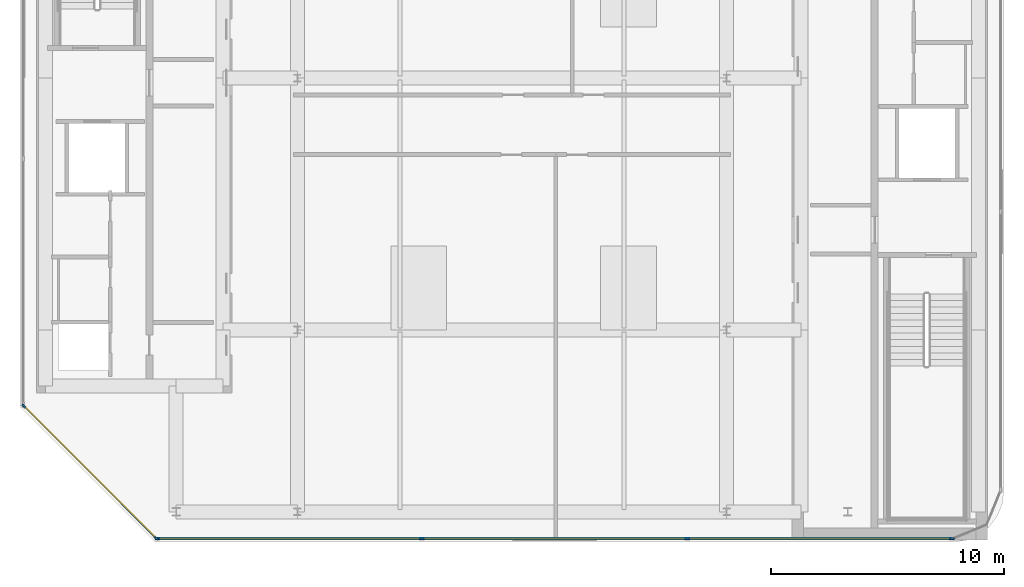
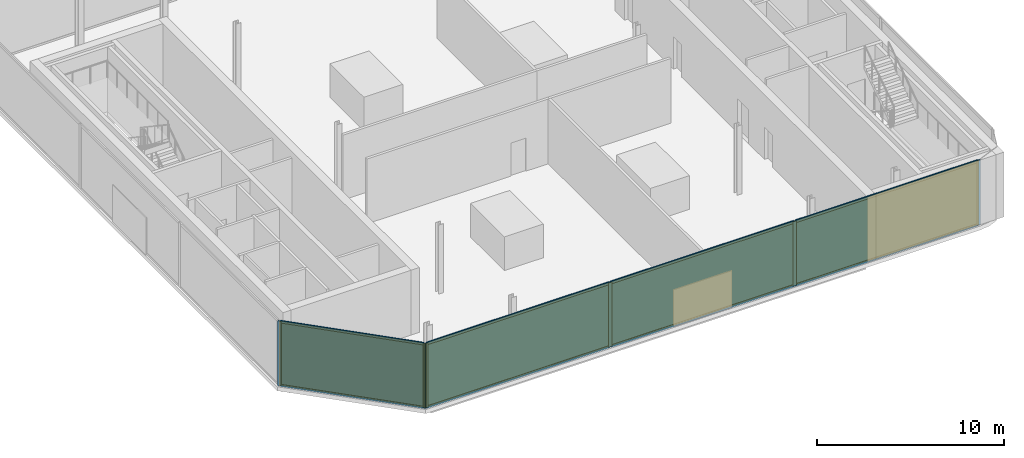
# One storey, part 7 of 15: 14 members, 4 plates, 2 curtain walls.
"""IFC4 building model written with IfcOpenShell, lengths in metres."""

from ifc_helpers import new_model, si_unit, direction, frame, frame_2d, origin, origin_2d, place, context, subcontext, project, spatial, rectangle, extrude, material, layer, layer_set, material_profile, profile_set, type_object, element, aggregate, save


model = new_model("IFC4")

# Units and contexts
model_context = context("Model", 3, precision=1e-05, world=origin(), true_north=direction((0.0, 1.0)))
body_context = subcontext(model_context, "Body", "Model", "MODEL_VIEW")
ifc_project = project(units=[si_unit("LENGTHUNIT", "METRE"), si_unit("AREAUNIT", "SQUARE_METRE"), si_unit("VOLUMEUNIT", "CUBIC_METRE"), si_unit("PLANEANGLEUNIT", "RADIAN"), si_unit("MASSUNIT", "GRAM", prefix="KILO")], contexts=[model_context])

# Member
ifc_material_1 = material(Name="Anodised Bronze Aluminium 6063-T6", Category="aluminium")
ifc_material_profile_1 = material_profile(ifc_material_1, rectangle(XDim=0.074951171875, YDim=0.2099609375, at=origin_2d()))
ifc_profile_set_1 = profile_set([ifc_material_profile_1], Name="Anodised Bronze Aluminium 6063-T6")
member_type_1 = type_object("IfcMemberType", Name="CW-CRN Mullion 75x210", PredefinedType="MULLION", material=ifc_profile_set_1)
site_placement = place(None, origin())
building_placement = place(site_placement, origin())
storey_placement = place(building_placement, frame((0.0, 0.0, 335.0)))
member_1_placement = place(storey_placement, frame((18.853271484375, -19.760009765625, 0.0), z_axis=(0.0, 0.0, 1.0), x_axis=(0.0, -1.0, 0.0)))
member_1 = element("IfcMember", 1, at=member_1_placement, type_object=member_type_1, Name="CW-CRN mullion 1", PredefinedType="MULLION", context=body_context, shape_type="SweptSolid", body=[
    extrude(rectangle(XDim=0.074951171875, YDim=0.2099609375, at=origin_2d()), origin(), (0.0, 0.0, 1.0), 4.219970703125),
])

member_2_placement = place(storey_placement, frame((7.51318359375, -19.760009765625, 0.0), z_axis=(0.0, 0.0, 1.0), x_axis=(0.0, -1.0, 0.0)))
member_2 = element("IfcMember", 2, at=member_2_placement, type_object=member_type_1, Name="CW-CRN mullion 2", PredefinedType="MULLION", context=body_context, shape_type="SweptSolid", body=[
    extrude(rectangle(XDim=0.074951171875, YDim=0.2099609375, at=origin_2d()), origin(), (0.0, 0.0, 1.0), 4.219970703125),
])

member_3_placement = place(storey_placement, frame((-3.864501953125, -19.760009765625, 0.0), z_axis=(0.0, 0.0, 1.0), x_axis=(0.0, -1.0, 0.0)))
member_3 = element("IfcMember", 3, at=member_3_placement, type_object=member_type_1, Name="CW-CRN mullion 3", PredefinedType="MULLION", context=body_context, shape_type="SweptSolid", body=[
    extrude(rectangle(XDim=0.074951171875, YDim=0.2099609375, at=origin_2d()), origin(), (0.0, 0.0, 1.0), 4.219970703125),
])

member_4_placement = place(storey_placement, frame((-15.20458984375, -19.760009765625, 0.0), z_axis=(0.0, 0.0, 1.0), x_axis=(0.0, -1.0, 0.0)))
member_4 = element("IfcMember", 4, at=member_4_placement, type_object=member_type_1, Name="CW-CRN mullion 4", PredefinedType="MULLION", context=body_context, shape_type="SweptSolid", body=[
    extrude(rectangle(XDim=0.074951171875, YDim=0.2099609375, at=origin_2d()), origin(), (0.0, 0.0, 1.0), 4.219970703125),
])

ifc_material_2 = material(Name="Anodised Bronze Aluminium 6063-T6", Category="aluminium")
ifc_material_profile_2 = material_profile(ifc_material_2, rectangle(XDim=0.074951171875, YDim=0.1650390625, at=origin_2d()))
ifc_profile_set_2 = profile_set([ifc_material_profile_2], Name="Anodised Bronze Aluminium 6063-T6")
member_type_2 = type_object("IfcMemberType", Name="CW-CRN Transom 75x165", PredefinedType="USERDEFINED", material=ifc_profile_set_2)
member_5_placement = place(storey_placement, frame((18.81591796875, -19.760009765625, 0.03759765625), z_axis=(-1.0, 0.0, 0.0), x_axis=(0.0, -1.0, 0.0)))
member_5 = element("IfcMember", 5, at=member_5_placement, type_object=member_type_2, Name="CW-CRN transom 1.1", ObjectType="TRANSOM", PredefinedType="USERDEFINED", context=body_context, shape_type="SweptSolid", body=[
    extrude(rectangle(XDim=0.074951171875, YDim=0.1650390625, at=origin_2d()), origin(), (0.0, 0.0, 1.0), 11.26513671875),
])

member_6_placement = place(storey_placement, frame((18.81591796875, -19.760009765625, 4.1826171875), z_axis=(-1.0, 0.0, 0.0), x_axis=(0.0, -1.0, 0.0)))
member_6 = element("IfcMember", 6, at=member_6_placement, type_object=member_type_2, Name="CW-CRN transom 1.2", ObjectType="TRANSOM", PredefinedType="USERDEFINED", context=body_context, shape_type="SweptSolid", body=[
    extrude(rectangle(XDim=0.074951171875, YDim=0.1650390625, at=origin_2d()), origin(), (0.0, 0.0, 1.0), 11.26513671875),
])

member_7_placement = place(storey_placement, frame((7.4755859375, -19.760009765625, 0.03759765625), z_axis=(-1.0, 0.0, 0.0), x_axis=(0.0, -1.0, 0.0)))
member_7 = element("IfcMember", 7, at=member_7_placement, type_object=member_type_2, Name="CW-CRN transom 2.1", ObjectType="TRANSOM", PredefinedType="USERDEFINED", context=body_context, shape_type="SweptSolid", body=[
    extrude(rectangle(XDim=0.074951171875, YDim=0.1650390625, at=origin_2d()), origin(), (0.0, 0.0, 1.0), 11.302490234375),
])

member_8_placement = place(storey_placement, frame((7.4755859375, -19.760009765625, 4.1826171875), z_axis=(-1.0, 0.0, 0.0), x_axis=(0.0, -1.0, 0.0)))
member_8 = element("IfcMember", 8, at=member_8_placement, type_object=member_type_2, Name="CW-CRN transom 2.2", ObjectType="TRANSOM", PredefinedType="USERDEFINED", context=body_context, shape_type="SweptSolid", body=[
    extrude(rectangle(XDim=0.074951171875, YDim=0.1650390625, at=origin_2d()), origin(), (0.0, 0.0, 1.0), 11.302490234375),
])

member_9_placement = place(storey_placement, frame((-3.90185546875, -19.760009765625, 0.03759765625), z_axis=(-1.0, 0.0, 0.0), x_axis=(0.0, -1.0, 0.0)))
member_9 = element("IfcMember", 9, at=member_9_placement, type_object=member_type_2, Name="CW-CRN transom 3.1", ObjectType="TRANSOM", PredefinedType="USERDEFINED", context=body_context, shape_type="SweptSolid", body=[
    extrude(rectangle(XDim=0.074951171875, YDim=0.1650390625, at=origin_2d()), origin(), (0.0, 0.0, 1.0), 11.26513671875),
])

member_10_placement = place(storey_placement, frame((-3.90185546875, -19.760009765625, 4.1826171875), z_axis=(-1.0, 0.0, 0.0), x_axis=(0.0, -1.0, 0.0)))
member_10 = element("IfcMember", 10, at=member_10_placement, type_object=member_type_2, Name="CW-CRN transom 3.2", ObjectType="TRANSOM", PredefinedType="USERDEFINED", context=body_context, shape_type="SweptSolid", body=[
    extrude(rectangle(XDim=0.074951171875, YDim=0.1650390625, at=origin_2d()), origin(), (0.0, 0.0, 1.0), 11.26513671875),
])

ifc_material_3 = material(Name="Anodised Bronze Aluminium 6063-T6", Category="aluminium")
ifc_material_profile_3 = material_profile(ifc_material_3, rectangle(XDim=0.070068359375, YDim=0.18994140625, at=origin_2d()))
ifc_profile_set_3 = profile_set([ifc_material_profile_3], Name="Anodised Bronze Aluminium 6063-T6")
member_type_3 = type_object("IfcMemberType", Name="CW-SLC Mullion 70x190", PredefinedType="MULLION", material=ifc_profile_set_3)
member_11_placement = place(storey_placement, frame((-15.266845703125, -19.7353515625, 0.0), z_axis=(0.0, 0.0, 1.0), x_axis=(-0.707106781187, -0.707106781187, 0.0)))
member_11 = element("IfcMember", 11, at=member_11_placement, type_object=member_type_3, Name="CW-SLC mullion 1", PredefinedType="MULLION", context=body_context, shape_type="SweptSolid", body=[
    extrude(rectangle(XDim=0.070068359375, YDim=0.18994140625, at=origin_2d()), origin(), (0.0, 0.0, 1.0), 4.219970703125),
])

member_12_placement = place(storey_placement, frame((-20.935302734375, -14.066650390625, 0.0), z_axis=(0.0, 0.0, 1.0), x_axis=(-0.707106781187, -0.707106781187, 0.0)))
member_12 = element("IfcMember", 12, at=member_12_placement, type_object=member_type_3, Name="CW-SLC mullion 2", PredefinedType="MULLION", context=body_context, shape_type="SweptSolid", body=[
    extrude(rectangle(XDim=0.070068359375, YDim=0.18994140625, at=origin_2d()), origin(), (0.0, 0.0, 1.0), 4.219970703125),
])

ifc_material_4 = material(Name="Anodised Bronze Aluminium 6063-T6", Category="aluminium")
ifc_material_profile_4 = material_profile(ifc_material_4, rectangle(XDim=0.070068359375, YDim=0.14990234375, at=origin_2d()))
ifc_profile_set_4 = profile_set([ifc_material_profile_4], Name="Anodised Bronze Aluminium 6063-T6")
member_type_4 = type_object("IfcMemberType", Name="CW-SLC Transom 70x150", PredefinedType="USERDEFINED", material=ifc_profile_set_4)
member_13_placement = place(storey_placement, frame((-15.29150390625, -19.71044921875, 0.034912109375), z_axis=(-0.707106781187, 0.707106781187, 0.0), x_axis=(-0.707106781187, -0.707106781187, 0.0)))
member_13 = element("IfcMember", 13, at=member_13_placement, type_object=member_type_4, Name="CW-SLC transom 1.1", ObjectType="TRANSOM", PredefinedType="USERDEFINED", context=body_context, shape_type="SweptSolid", body=[
    extrude(rectangle(XDim=0.070068359375, YDim=0.14990234375, at=origin_2d()), origin(), (0.0, 0.0, 1.0), 7.9462890625),
])

member_14_placement = place(storey_placement, frame((-15.29150390625, -19.71044921875, 4.18505859375), z_axis=(-0.707106781187, 0.707106781187, 0.0), x_axis=(-0.707106781187, -0.707106781187, 0.0)))
member_14 = element("IfcMember", 14, at=member_14_placement, type_object=member_type_4, Name="CW-SLC transom 1.2", ObjectType="TRANSOM", PredefinedType="USERDEFINED", context=body_context, shape_type="SweptSolid", body=[
    extrude(rectangle(XDim=0.070068359375, YDim=0.14990234375, at=origin_2d()), origin(), (0.0, 0.0, 1.0), 7.9462890625),
])

# Plate
ifc_material_5 = material(Name="Low-E Solar Control Laminated Glass", Category="glass")
ifc_layer_1 = layer(ifc_material_5, 0.035888671875, Name="Low-E Solar Control Laminated Glass")
ifc_layer_set_1 = layer_set([ifc_layer_1], Name="Low-E Solar Control Laminated Glass")
plate_type_1 = type_object("IfcPlateType", Name="CW-CRN Low-E Double Glazed Panel 36mm", PredefinedType="CURTAIN_PANEL", material=ifc_layer_set_1)
plate_1_placement = place(storey_placement, frame((13.183349609375, -19.760009765625, 0.0751953125), z_axis=(0.0, 0.0, 1.0), x_axis=(-1.0, 0.0, 0.0)))
plate_1 = element("IfcPlate", 15, at=plate_1_placement, type_object=plate_type_1, Name="CW-CRN panel 1.1", PredefinedType="CURTAIN_PANEL", context=body_context, shape_type="SweptSolid", body=[
    extrude(rectangle(XDim=11.26513671875, YDim=0.035888671875, at=origin_2d()), origin(), (0.0, 0.0, 1.0), 4.070068359375),
])

plate_2_placement = place(storey_placement, frame((1.824462890625, -19.760009765625, 0.0751953125), z_axis=(0.0, 0.0, 1.0), x_axis=(-1.0, 0.0, 0.0)))
plate_2 = element("IfcPlate", 16, at=plate_2_placement, type_object=plate_type_1, Name="CW-CRN panel 2.1", PredefinedType="CURTAIN_PANEL", context=body_context, shape_type="SweptSolid", body=[
    extrude(rectangle(XDim=11.302490234375, YDim=0.035888671875, at=origin_2d()), origin(), (0.0, 0.0, 1.0), 4.070068359375),
])

plate_3_placement = place(storey_placement, frame((-9.534423828125, -19.760009765625, 0.0751953125), z_axis=(0.0, 0.0, 1.0), x_axis=(-1.0, 0.0, 0.0)))
plate_3 = element("IfcPlate", 17, at=plate_3_placement, type_object=plate_type_1, Name="CW-CRN panel 3.1", PredefinedType="CURTAIN_PANEL", context=body_context, shape_type="SweptSolid", body=[
    extrude(rectangle(XDim=11.26513671875, YDim=0.035888671875, at=origin_2d()), origin(), (0.0, 0.0, 1.0), 4.070068359375),
])

ifc_material_6 = material(Name="Low-E Solar Control Laminated Glass", Category="glass")
ifc_layer_2 = layer(ifc_material_6, 0.033935546875, Name="Low-E Solar Control Laminated Glass")
ifc_layer_set_2 = layer_set([ifc_layer_2], Name="Low-E Solar Control Laminated Glass")
plate_type_2 = type_object("IfcPlateType", Name="CW-SLC Low-E Double Glazed Panel 34mm", PredefinedType="CURTAIN_PANEL", material=ifc_layer_set_2)
plate_4_placement = place(storey_placement, frame((-18.10107421875, -16.90087890625, 0.070068359375), z_axis=(0.0, 0.0, 1.0), x_axis=(-0.707106781187, 0.707106781187, 0.0)))
plate_4 = element("IfcPlate", 18, at=plate_4_placement, type_object=plate_type_2, Name="CW-SLC panel 1.1", PredefinedType="CURTAIN_PANEL", context=body_context, shape_type="SweptSolid", body=[
    extrude(rectangle(XDim=7.946533203125, YDim=0.033935546875, at=origin_2d()), origin(), (0.0, 0.0, 1.0), 4.080078125),
])

# Site, building, storey
site = spatial("IfcSite", under=ifc_project, at=site_placement, CompositionType="ELEMENT")
building = spatial("IfcBuilding", under=site, at=building_placement, Name="Khairoan Windgate Tower", CompositionType="ELEMENT")
storey = spatial("IfcBuildingStorey", under=building, at=storey_placement, Name="L80", CompositionType="ELEMENT", Elevation=335.0)

# Curtain wall
ifc_material_7 = material(Name="Anodised Bronze Aluminium 6063-T6", Category="aluminium")
ifc_layer_3 = layer(ifc_material_7, 0.2099609375, Name="Anodised Bronze Aluminium 6063-T6")
ifc_layer_set_3 = layer_set([ifc_layer_3], Name="Anodised Bronze Aluminium 6063-T6")
curtain_wall_type_1 = type_object("IfcCurtainWallType", Name="Crown Observation and Vitrine Curtain Wall CW-CRN", PredefinedType="NOTDEFINED", material=ifc_layer_set_3)
curtain_wall_1_placement = place(storey_placement, frame((18.890869140625, -19.760009765625, 0.0), z_axis=(0.0, 0.0, 1.0), x_axis=(-1.0, 0.0, 0.0)))
curtain_wall_1 = element("IfcCurtainWall", 19, at=curtain_wall_1_placement, inside=storey, type_object=curtain_wall_type_1, Name="L80 Unitised Curtain Wall 1", PredefinedType="NOTDEFINED", context=body_context, shape_type="SweptSolid", body=[
    extrude(rectangle(XDim=34.1328125, YDim=0.010009765625, at=frame_2d((17.06640625, 0.0))), origin(), (0.0, 0.0, 1.0), 4.219970703125),
])

aggregate(curtain_wall_1, [member_1, member_2, member_3, member_4, member_5, member_6, plate_1, member_7, member_8, plate_2, member_9, member_10, plate_3])

ifc_material_8 = material(Name="Anodised Bronze Aluminium 6063-T6", Category="aluminium")
ifc_layer_4 = layer(ifc_material_8, 0.18994140625, Name="Anodised Bronze Aluminium 6063-T6")
ifc_layer_set_4 = layer_set([ifc_layer_4], Name="Anodised Bronze Aluminium 6063-T6")
curtain_wall_type_2 = type_object("IfcCurtainWallType", Name="Diagonal Corner-Slice Facet Curtain Wall CW-SLC", PredefinedType="NOTDEFINED", material=ifc_layer_set_4)
curtain_wall_2_placement = place(storey_placement, frame((-15.241943359375, -19.760009765625, 0.0), z_axis=(0.0, 0.0, 1.0), x_axis=(-0.707106781187, 0.707106781187, 0.0)))
curtain_wall_2 = element("IfcCurtainWall", 20, at=curtain_wall_2_placement, inside=storey, type_object=curtain_wall_type_2, Name="L80 Crystal Slice Curtain Wall 2", PredefinedType="NOTDEFINED", context=body_context, shape_type="SweptSolid", body=[
    extrude(rectangle(XDim=8.08642578125, YDim=0.010009765625, at=frame_2d((4.043212890625, 0.0))), origin(), (0.0, 0.0, 1.0), 4.219970703125),
])

aggregate(curtain_wall_2, [member_11, member_12, member_13, member_14, plate_4])

save(model, "model.ifc")
